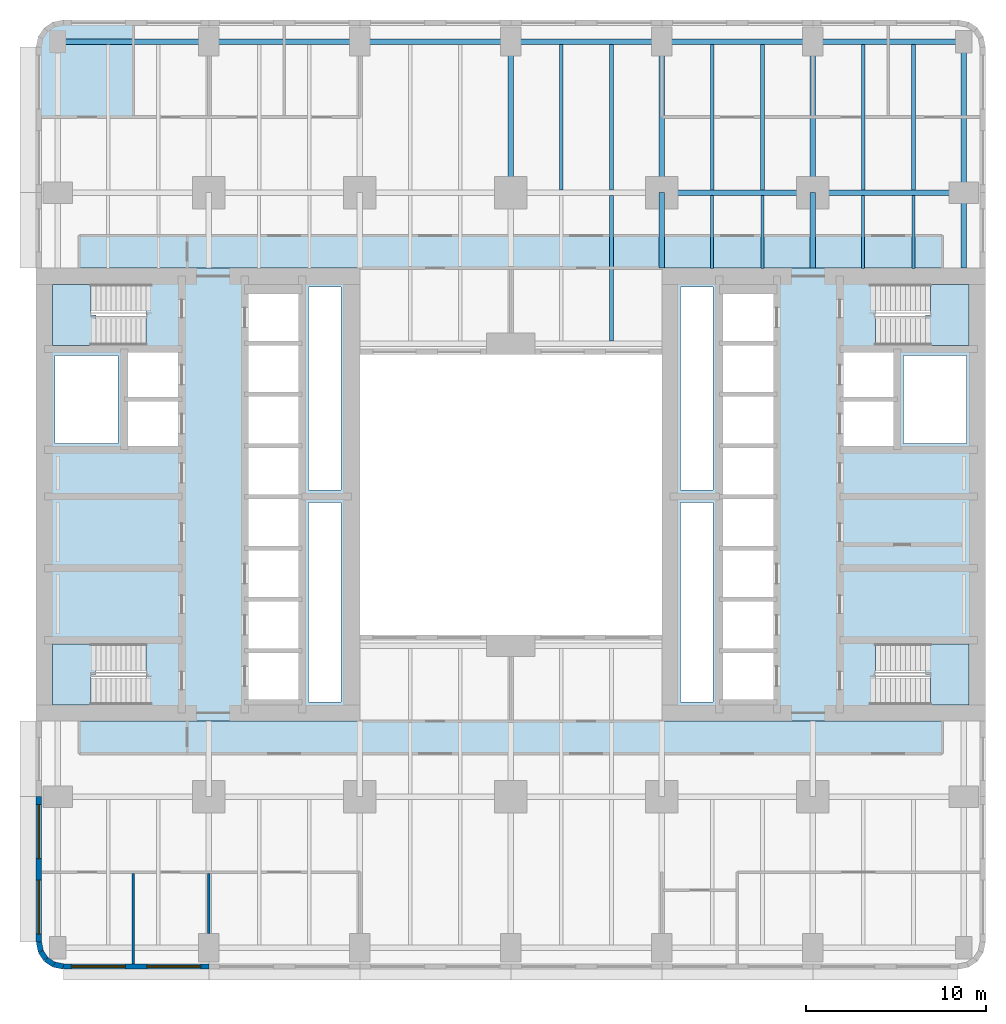
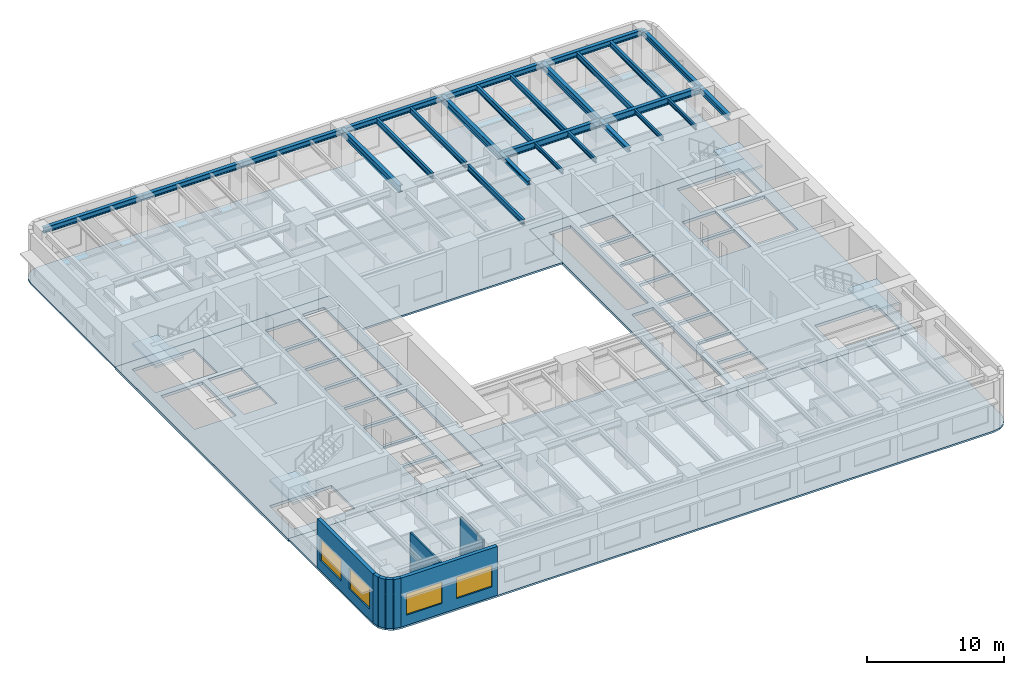
# One storey, part 2 of 14: 26 beams, 8 slabs, 8 walls, 4 windows, 4 openings, 4 elements without a shape of their own.
"""IFC4 building model written with IfcOpenShell, lengths in metres."""

from ifc_helpers import new_model, si_unit, direction, frame, frame_2d, origin, origin_2d, place, context, subcontext, project, spatial, polyline, rectangle, i_section, outline, extrude, material, layer, layer_set, material_profile, profile_set, type_object, element, fill, aggregate, save


model = new_model("IFC4")

# Units and contexts
model_context = context("Model", 3, precision=1e-05, world=origin(), true_north=direction((0.0, 1.0)))
body_context = subcontext(model_context, "Body", "Model", "MODEL_VIEW")
ifc_project = project(units=[si_unit("LENGTHUNIT", "METRE"), si_unit("AREAUNIT", "SQUARE_METRE"), si_unit("VOLUMEUNIT", "CUBIC_METRE"), si_unit("PLANEANGLEUNIT", "RADIAN"), si_unit("MASSUNIT", "GRAM", prefix="KILO")], contexts=[model_context])

# Site, building, storey
site_placement = place(None, origin())
site = spatial("IfcSite", under=ifc_project, at=site_placement, CompositionType="ELEMENT")
building_placement = place(site_placement, origin())
building = spatial("IfcBuilding", under=site, at=building_placement, Name="Claustro Exchange Tower", CompositionType="ELEMENT")
storey_placement = place(building_placement, frame((0.0, 0.0, 27.89990234375)))
storey = spatial("IfcBuildingStorey", under=building, at=storey_placement, Name="L06", CompositionType="ELEMENT", Elevation=27.89990234375)

# Beams
ifc_material_1 = material(Name="Steel S355", Category="steel")
ifc_material_profile_1 = material_profile(ifc_material_1, i_section(OverallWidth=0.300048828125, OverallDepth=0.60009765625, WebThickness=0.015380859375, FlangeThickness=0.030029296875, FilletRadius=0.027099609375, at=origin_2d()), Name="HE 600 B")
ifc_profile_set_1 = profile_set([ifc_material_profile_1], Name="Steel S355")
beam_type_1 = type_object("IfcBeamType", Name="B1 HE 600 B floor girder", PredefinedType="BEAM", material=ifc_profile_set_1)
for number, where, z_axis, x_axis, name in (
    (1, (25.199951171875, 42.0, 4.0400390625), (0.0, 1.0, 0.0), (-1.0, 0.0, 0.0), "Beam B1 L07"),
    (2, (33.60009765625, 42.0, 4.0400390625), (0.0, 1.0, 0.0), (-1.0, 0.0, 0.0), "Beam B1 L07"),
    (3, (42.0, 42.0, 4.0400390625), (0.0, 1.0, 0.0), (-1.0, 0.0, 0.0), "Beam B1 L07"),
    (4, (33.60009765625, 42.0, 4.0400390625), (1.0, 0.0, 0.0), (0.0, 1.0, 0.0), "Beam B1 L07"),
    (5, (42.0, 42.0, 4.0400390625), (1.0, 0.0, 0.0), (0.0, 1.0, 0.0), "Beam B1 L07"),
):
    element("IfcBeam", number, at=place(storey_placement, frame(where, z_axis=z_axis, x_axis=x_axis)), inside=storey, type_object=beam_type_1, Name=name, PredefinedType="BEAM", context=body_context, shape_type="SweptSolid", body=[
        extrude(i_section(OverallWidth=0.300048828125, OverallDepth=0.60009765625, WebThickness=0.015380859375, FlangeThickness=0.030029296875, FilletRadius=0.027099609375, at=origin_2d()), origin(), (0.0, 0.0, 1.0), 8.39990234375),
    ])
ifc_material_2 = material(Name="Steel S355", Category="steel")
ifc_material_profile_2 = material_profile(ifc_material_2, i_section(OverallWidth=0.169921875, OverallDepth=0.360107421875, WebThickness=0.008056640625, FlangeThickness=0.0126953125, FilletRadius=0.01806640625, at=origin_2d()), Name="IPE 360")
ifc_profile_set_2 = profile_set([ifc_material_profile_2], Name="Steel S355")
beam_type_2 = type_object("IfcBeamType", Name="B16 IPE 360 short-span beam", PredefinedType="BEAM", material=ifc_profile_set_2)
for number, where, z_axis, x_axis, name in (
    (6, (36.39990234375, 37.7900390625, 4.16015625), (0.0, 1.0, 0.0), (-1.0, 0.0, 0.0), "Beam B16 L07"),
    (7, (39.199951171875, 37.7900390625, 4.16015625), (0.0, 1.0, 0.0), (-1.0, 0.0, 0.0), "Beam B16 L07"),
    (8, (44.800048828125, 37.7900390625, 4.16015625), (0.0, 1.0, 0.0), (-1.0, 0.0, 0.0), "Beam B16 L07"),
    (9, (47.60009765625, 37.7900390625, 4.16015625), (0.0, 1.0, 0.0), (-1.0, 0.0, 0.0), "Beam B16 L07"),
):
    element("IfcBeam", number, at=place(storey_placement, frame(where, z_axis=z_axis, x_axis=x_axis)), inside=storey, type_object=beam_type_2, Name=name, PredefinedType="BEAM", context=body_context, shape_type="SweptSolid", body=[
        extrude(i_section(OverallWidth=0.169921875, OverallDepth=0.360107421875, WebThickness=0.008056640625, FlangeThickness=0.0126953125, FilletRadius=0.01806640625, at=origin_2d()), origin(), (0.0, 0.0, 1.0), 4.06005859375),
    ])
ifc_material_3 = material(Name="Steel S355", Category="steel")
ifc_material_profile_3 = material_profile(ifc_material_3, i_section(OverallWidth=0.199951171875, OverallDepth=0.5, WebThickness=0.01025390625, FlangeThickness=0.01611328125, FilletRadius=0.02099609375, at=origin_2d()), Name="IPE 500")
ifc_profile_set_3 = profile_set([ifc_material_profile_3], Name="Steel S355")
beam_type_3 = type_object("IfcBeamType", Name="B2 IPE 500 secondary beam", PredefinedType="BEAM", material=ifc_profile_set_3)
for number, where, z_axis, x_axis, name in (
    (10, (30.800048828125, 33.75, 4.090087890625), (0.0, 1.0, 0.0), (-1.0, 0.0, 0.0), "Beam B2 L07"),
    (11, (28.0, 42.14990234375, 4.090087890625), (0.0, 1.0, 0.0), (-1.0, 0.0, 0.0), "Beam B2 L07"),
    (12, (30.800048828125, 42.14990234375, 4.090087890625), (0.0, 1.0, 0.0), (-1.0, 0.0, 0.0), "Beam B2 L07"),
    (13, (36.39990234375, 42.14990234375, 4.090087890625), (0.0, 1.0, 0.0), (-1.0, 0.0, 0.0), "Beam B2 L07"),
    (14, (39.199951171875, 42.14990234375, 4.090087890625), (0.0, 1.0, 0.0), (-1.0, 0.0, 0.0), "Beam B2 L07"),
    (15, (44.800048828125, 42.14990234375, 4.090087890625), (0.0, 1.0, 0.0), (-1.0, 0.0, 0.0), "Beam B2 L07"),
    (16, (47.60009765625, 42.14990234375, 4.090087890625), (0.0, 1.0, 0.0), (-1.0, 0.0, 0.0), "Beam B2 L07"),
):
    element("IfcBeam", number, at=place(storey_placement, frame(where, z_axis=z_axis, x_axis=x_axis)), inside=storey, type_object=beam_type_3, Name=name, PredefinedType="BEAM", context=body_context, shape_type="SweptSolid", body=[
        extrude(i_section(OverallWidth=0.199951171875, OverallDepth=0.5, WebThickness=0.01025390625, FlangeThickness=0.01611328125, FilletRadius=0.02099609375, at=origin_2d()), origin(), (0.0, 0.0, 1.0), 8.10009765625),
    ])
ifc_material_4 = material(Name="Steel S355", Category="steel")
ifc_material_profile_4 = material_profile(ifc_material_4, i_section(OverallWidth=0.300048828125, OverallDepth=0.360107421875, WebThickness=0.012451171875, FlangeThickness=0.0224609375, FilletRadius=0.027099609375, at=origin_2d()), Name="HE 360 B")
ifc_profile_set_4 = profile_set([ifc_material_profile_4], Name="Steel S355")
beam_type_4 = type_object("IfcBeamType", Name="B29 HE 360 B column to core link beam", PredefinedType="BEAM", material=ifc_profile_set_4)
for number, where, z_axis, x_axis, name in (
    (17, (33.60009765625, 37.800048828125, 4.16015625), (0.0, 1.0, 0.0), (-1.0, 0.0, 0.0), "Beam B29 L07"),
    (18, (42.0, 37.800048828125, 4.16015625), (0.0, 1.0, 0.0), (-1.0, 0.0, 0.0), "Beam B29 L07"),
):
    element("IfcBeam", number, at=place(storey_placement, frame(where, z_axis=z_axis, x_axis=x_axis)), inside=storey, type_object=beam_type_4, Name=name, PredefinedType="BEAM", context=body_context, shape_type="SweptSolid", body=[
        extrude(i_section(OverallWidth=0.300048828125, OverallDepth=0.360107421875, WebThickness=0.012451171875, FlangeThickness=0.0224609375, FilletRadius=0.027099609375, at=origin_2d()), origin(), (0.0, 0.0, 1.0), 4.199951171875),
    ])
ifc_material_5 = material(Name="Steel S355", Category="steel")
ifc_material_profile_5 = material_profile(ifc_material_5, i_section(OverallWidth=0.300048828125, OverallDepth=0.5, WebThickness=0.014404296875, FlangeThickness=0.028076171875, FilletRadius=0.027099609375, at=origin_2d()), Name="HE 500 B")
ifc_profile_set_5 = profile_set([ifc_material_profile_5], Name="Steel S355")
beam_type_5 = type_object("IfcBeamType", Name="B3 HE 500 B spandrel edge girder", PredefinedType="SPANDREL", material=ifc_profile_set_5)
beam_1_placement = place(storey_placement, frame((50.39990234375, 37.800048828125, 4.090087890625), z_axis=(0.0, 1.0, 0.0), x_axis=(-1.0, 0.0, 0.0)))
element("IfcBeam", 19, at=beam_1_placement, inside=storey, type_object=beam_type_5, Name="Beam B3 L07", PredefinedType="SPANDREL", context=body_context, shape_type="SweptSolid", body=[
    extrude(i_section(OverallWidth=0.300048828125, OverallDepth=0.5, WebThickness=0.014404296875, FlangeThickness=0.028076171875, FilletRadius=0.027099609375, at=origin_2d()), origin(), (0.0, 0.0, 1.0), 4.199951171875),
])
for number, where, z_axis, x_axis, name in (
    (20, (50.39990234375, 42.0, 4.090087890625), (0.0, 1.0, 0.0), (-1.0, 0.0, 0.0), "Beam B3 L07"),
    (21, (0.0, 50.39990234375, 4.090087890625), (1.0, 0.0, 0.0), (0.0, 1.0, 0.0), "Beam B3 L07"),
):
    element("IfcBeam", number, at=place(storey_placement, frame(where, z_axis=z_axis, x_axis=x_axis)), inside=storey, type_object=beam_type_5, Name=name, PredefinedType="SPANDREL", context=body_context, shape_type="SweptSolid", body=[
        extrude(i_section(OverallWidth=0.300048828125, OverallDepth=0.5, WebThickness=0.014404296875, FlangeThickness=0.028076171875, FilletRadius=0.027099609375, at=origin_2d()), origin(), (0.0, 0.0, 1.0), 8.39990234375),
    ])
beam_2_placement = place(storey_placement, frame((8.39990234375, 50.39990234375, 4.090087890625), z_axis=(1.0, 0.0, 0.0), x_axis=(0.0, 1.0, 0.0)))
element("IfcBeam", 22, at=beam_2_placement, inside=storey, type_object=beam_type_5, Name="Beam B3 L07", PredefinedType="SPANDREL", context=body_context, shape_type="SweptSolid", body=[
    extrude(i_section(OverallWidth=0.300048828125, OverallDepth=0.5, WebThickness=0.014404296875, FlangeThickness=0.028076171875, FilletRadius=0.027099609375, at=origin_2d()), origin(), (0.0, 0.0, 1.0), 8.400146484375),
])
beam_3_placement = place(storey_placement, frame((16.800048828125, 50.39990234375, 4.090087890625), z_axis=(1.0, 0.0, 0.0), x_axis=(0.0, 1.0, 0.0)))
element("IfcBeam", 23, at=beam_3_placement, inside=storey, type_object=beam_type_5, Name="Beam B3 L07", PredefinedType="SPANDREL", context=body_context, shape_type="SweptSolid", body=[
    extrude(i_section(OverallWidth=0.300048828125, OverallDepth=0.5, WebThickness=0.014404296875, FlangeThickness=0.028076171875, FilletRadius=0.027099609375, at=origin_2d()), origin(), (0.0, 0.0, 1.0), 8.39990234375),
])
beam_4_placement = place(storey_placement, frame((25.199951171875, 50.39990234375, 4.090087890625), z_axis=(1.0, 0.0, 0.0), x_axis=(0.0, 1.0, 0.0)))
element("IfcBeam", 24, at=beam_4_placement, inside=storey, type_object=beam_type_5, Name="Beam B3 L07", PredefinedType="SPANDREL", context=body_context, shape_type="SweptSolid", body=[
    extrude(i_section(OverallWidth=0.300048828125, OverallDepth=0.5, WebThickness=0.014404296875, FlangeThickness=0.028076171875, FilletRadius=0.027099609375, at=origin_2d()), origin(), (0.0, 0.0, 1.0), 8.400146484375),
])
for number, where, z_axis, x_axis, name in (
    (25, (33.60009765625, 50.39990234375, 4.090087890625), (1.0, 0.0, 0.0), (0.0, 1.0, 0.0), "Beam B3 L07"),
    (26, (42.0, 50.39990234375, 4.090087890625), (1.0, 0.0, 0.0), (0.0, 1.0, 0.0), "Beam B3 L07"),
):
    element("IfcBeam", number, at=place(storey_placement, frame(where, z_axis=z_axis, x_axis=x_axis)), inside=storey, type_object=beam_type_5, Name=name, PredefinedType="SPANDREL", context=body_context, shape_type="SweptSolid", body=[
        extrude(i_section(OverallWidth=0.300048828125, OverallDepth=0.5, WebThickness=0.014404296875, FlangeThickness=0.028076171875, FilletRadius=0.027099609375, at=origin_2d()), origin(), (0.0, 0.0, 1.0), 8.39990234375),
    ])

# Slabs
ifc_material_6 = material(Name="Concrete HA-50 (C50/60)", Category="concrete")
ifc_layer_1 = layer(ifc_material_6, 0.159912109375)
ifc_layer_set_1 = layer_set([ifc_layer_1], Name="Concrete HA-50 (C50/60)")
slab_type_1 = type_object("IfcSlabType", Name="S1 160 composite floor slab", PredefinedType="FLOOR", material=ifc_layer_set_1)
slab_1_placement = place(storey_placement, frame((0.0, 0.0, -0.159912109375)))
element("IfcSlab", 27, at=slab_1_placement, inside=storey, type_object=slab_type_1, Name="Floor slab S1 S L06", PredefinedType="FLOOR", context=body_context, shape_type="SweptSolid", body=[
    extrude(outline(polyline([(-0.27392578125, -1.085693359375), (0.300048828125, -1.199951171875), (50.10009765625, -1.199951171875), (50.674072265625, -1.085693359375), (51.16064453125, -0.7607421875), (51.48583984375, -0.27392578125), (51.60009765625, 0.300048828125), (51.60009765625, 12.60009765625), (33.60009765625, 12.60009765625), (33.60009765625, 17.39990234375), (16.800048828125, 17.39990234375), (16.800048828125, 12.60009765625), (-1.199951171875, 12.60009765625), (-1.199951171875, 0.300048828125), (-1.085693359375, -0.27392578125), (-0.7607421875, -0.7607421875), (-0.27392578125, -1.085693359375)])), origin(), (0.0, 0.0, 1.0), 0.159912109375),
])
slab_2_placement = place(storey_placement, frame((0.0, 0.0, -0.159912109375)))
element("IfcSlab", 28, at=slab_2_placement, inside=storey, type_object=slab_type_1, Name="Floor slab S1 N L06", PredefinedType="FLOOR", context=body_context, shape_type="SweptSolid", body=[
    extrude(outline(polyline([(16.800048828125, 37.800048828125), (16.800048828125, 33.0), (33.60009765625, 33.0), (33.60009765625, 37.800048828125), (51.60009765625, 37.800048828125), (51.60009765625, 50.10009765625), (51.48583984375, 50.674072265625), (51.16064453125, 51.16064453125), (50.674072265625, 51.48583984375), (50.10009765625, 51.60009765625), (0.300048828125, 51.60009765625), (-0.27392578125, 51.48583984375), (-0.7607421875, 51.16064453125), (-1.085693359375, 50.674072265625), (-1.199951171875, 50.10009765625), (-1.199951171875, 37.800048828125), (16.800048828125, 37.800048828125)])), origin(), (0.0, 0.0, 1.0), 0.159912109375),
])
ifc_material_7 = material(Name="Concrete HA-50 (C50/60)", Category="concrete")
ifc_layer_2 = layer(ifc_material_7, 0.25)
ifc_layer_set_2 = layer_set([ifc_layer_2], Name="Concrete HA-50 (C50/60)")
slab_type_2 = type_object("IfcSlabType", Name="S7 250 core floor slab", PredefinedType="FLOOR", material=ifc_layer_set_2)
slab_3_placement = place(storey_placement, frame((0.0, 0.0, -0.25)))
element("IfcSlab", 29, at=slab_3_placement, inside=storey, type_object=slab_type_2, Name="Core floor slab S7 W core L06", PredefinedType="FLOOR", context=body_context, shape_type="SweptSolid", body=[
    extrude(outline(polyline([(-1.199951171875, 12.60009765625), (16.800048828125, 12.60009765625), (16.800048828125, 37.800048828125), (-1.199951171875, 37.800048828125), (-1.199951171875, 12.60009765625)]), holes=[polyline([(15.75, 24.75), (15.75, 13.64990234375), (13.949951171875, 13.64990234375), (13.949951171875, 24.75), (15.75, 24.75)]), polyline([(15.75, 36.75), (15.75, 25.449951171875), (13.949951171875, 25.449951171875), (13.949951171875, 36.75), (15.75, 36.75)]), polyline([(10.60009765625, 16.39990234375), (13.39990234375, 16.39990234375), (13.39990234375, 13.800048828125), (10.60009765625, 13.800048828125), (10.60009765625, 16.39990234375)]), polyline([(13.39990234375, 19.25), (13.39990234375, 16.64990234375), (10.60009765625, 16.64990234375), (10.60009765625, 19.25), (13.39990234375, 19.25)]), polyline([(13.39990234375, 22.10009765625), (13.39990234375, 19.5), (10.60009765625, 19.5), (10.60009765625, 22.10009765625), (13.39990234375, 22.10009765625)]), polyline([(13.39990234375, 24.949951171875), (13.39990234375, 22.35009765625), (10.60009765625, 22.35009765625), (10.60009765625, 24.949951171875), (13.39990234375, 24.949951171875)]), polyline([(13.39990234375, 27.800048828125), (13.39990234375, 25.199951171875), (10.60009765625, 25.199951171875), (10.60009765625, 27.800048828125), (13.39990234375, 27.800048828125)]), polyline([(13.39990234375, 30.64990234375), (13.39990234375, 28.050048828125), (10.60009765625, 28.050048828125), (10.60009765625, 30.64990234375), (13.39990234375, 30.64990234375)]), polyline([(13.39990234375, 33.5), (13.39990234375, 30.89990234375), (10.60009765625, 30.89990234375), (10.60009765625, 33.5), (13.39990234375, 33.5)]), polyline([(13.39990234375, 36.35009765625), (13.39990234375, 33.75), (10.60009765625, 33.75), (10.60009765625, 36.35009765625), (13.39990234375, 36.35009765625)]), polyline([(6.699951171875, 30.375), (6.699951171875, 27.89990234375), (3.89990234375, 27.89990234375), (3.89990234375, 30.375), (6.699951171875, 30.375)]), polyline([(6.699951171875, 33.10009765625), (6.699951171875, 30.625), (3.89990234375, 30.625), (3.89990234375, 33.10009765625), (6.699951171875, 33.10009765625)]), polyline([(-0.300048828125, 15.199951171875), (-0.300048828125, 16.89990234375), (4.9150390625, 16.89990234375), (4.9150390625, 15.199951171875), (4.919921875, 15.199951171875), (4.919921875, 13.5), (-0.300048828125, 13.5), (-0.300048828125, 15.199951171875)]), polyline([(-0.300048828125, 36.89990234375), (4.919921875, 36.89990234375), (4.919921875, 35.199951171875), (4.9150390625, 35.199951171875), (4.9150390625, 33.5), (-0.300048828125, 33.5), (-0.300048828125, 35.199951171875), (-0.300048828125, 36.89990234375)]), polyline([(3.35009765625, 32.949951171875), (3.35009765625, 28.050048828125), (-0.14990234375, 28.050048828125), (-0.14990234375, 32.949951171875), (3.35009765625, 32.949951171875)])]), origin(), (0.0, 0.0, 1.0), 0.25),
])
slab_4_placement = place(storey_placement, frame((0.0, 0.0, -0.25)))
element("IfcSlab", 30, at=slab_4_placement, inside=storey, type_object=slab_type_2, Name="Core floor slab S7 E core L06", PredefinedType="FLOOR", context=body_context, shape_type="SweptSolid", body=[
    extrude(outline(polyline([(33.60009765625, 12.60009765625), (51.60009765625, 12.60009765625), (51.60009765625, 37.800048828125), (33.60009765625, 37.800048828125), (33.60009765625, 12.60009765625)]), holes=[polyline([(45.47998046875, 35.199951171875), (45.47998046875, 36.89990234375), (50.699951171875, 36.89990234375), (50.699951171875, 35.199951171875), (50.699951171875, 33.5), (45.485107421875, 33.5), (45.485107421875, 35.199951171875), (45.47998046875, 35.199951171875)]), polyline([(45.485107421875, 15.199951171875), (45.485107421875, 16.89990234375), (50.699951171875, 16.89990234375), (50.699951171875, 15.199951171875), (50.699951171875, 13.5), (45.47998046875, 13.5), (45.47998046875, 15.199951171875), (45.485107421875, 15.199951171875)]), polyline([(50.550048828125, 32.949951171875), (50.550048828125, 28.050048828125), (47.050048828125, 28.050048828125), (47.050048828125, 32.949951171875), (50.550048828125, 32.949951171875)]), polyline([(46.5, 30.375), (46.5, 27.89990234375), (43.699951171875, 27.89990234375), (43.699951171875, 30.375), (46.5, 30.375)]), polyline([(46.5, 33.10009765625), (46.5, 30.625), (43.699951171875, 30.625), (43.699951171875, 33.10009765625), (46.5, 33.10009765625)]), polyline([(37.0, 16.39990234375), (39.800048828125, 16.39990234375), (39.800048828125, 13.800048828125), (37.0, 13.800048828125), (37.0, 16.39990234375)]), polyline([(39.800048828125, 19.25), (39.800048828125, 16.64990234375), (37.0, 16.64990234375), (37.0, 19.25), (39.800048828125, 19.25)]), polyline([(39.800048828125, 22.10009765625), (39.800048828125, 19.5), (37.0, 19.5), (37.0, 22.10009765625), (39.800048828125, 22.10009765625)]), polyline([(39.800048828125, 24.949951171875), (39.800048828125, 22.35009765625), (37.0, 22.35009765625), (37.0, 24.949951171875), (39.800048828125, 24.949951171875)]), polyline([(39.800048828125, 27.800048828125), (39.800048828125, 25.199951171875), (37.0, 25.199951171875), (37.0, 27.800048828125), (39.800048828125, 27.800048828125)]), polyline([(39.800048828125, 30.64990234375), (39.800048828125, 28.050048828125), (37.0, 28.050048828125), (37.0, 30.64990234375), (39.800048828125, 30.64990234375)]), polyline([(39.800048828125, 33.5), (39.800048828125, 30.89990234375), (37.0, 30.89990234375), (37.0, 33.5), (39.800048828125, 33.5)]), polyline([(39.800048828125, 36.35009765625), (39.800048828125, 33.75), (37.0, 33.75), (37.0, 36.35009765625), (39.800048828125, 36.35009765625)]), polyline([(36.449951171875, 24.75), (36.449951171875, 13.64990234375), (34.64990234375, 13.64990234375), (34.64990234375, 24.75), (36.449951171875, 24.75)]), polyline([(36.449951171875, 36.75), (36.449951171875, 25.449951171875), (34.64990234375, 25.449951171875), (34.64990234375, 36.75), (36.449951171875, 36.75)])]), origin(), (0.0, 0.0, 1.0), 0.25),
])

# Stair, slab
ifc_material_8 = material(Name="Concrete HA-30 (C30/37), precast", Category="concrete")
stair_type = type_object("IfcStairType", Name="ST2 half-turn stair, 25 risers of 180", PredefinedType="HALF_TURN_STAIR", material=ifc_material_8)
stair_1_placement = place(storey_placement, origin())
stair_1 = element("IfcStair", 31, at=stair_1_placement, inside=storey, type_object=stair_type, Name="Stair STWA L06", PredefinedType="HALF_TURN_STAIR")
ifc_material_9 = material(Name="Concrete HA-30 (C30/37), precast", Category="concrete")
ifc_layer_3 = layer(ifc_material_9, 0.199951171875)
ifc_layer_set_3 = layer_set([ifc_layer_3], Name="Concrete HA-30 (C30/37), precast")
slab_type_3 = type_object("IfcSlabType", Name="S9 200 stair landing", PredefinedType="LANDING", material=ifc_layer_set_3)
slab_5_placement = place(storey_placement, frame((0.0, 0.0, 2.14013671875)))
slab_5 = element("IfcSlab", 32, at=slab_5_placement, type_object=slab_type_3, Name="STWA landing 1", PredefinedType="LANDING", context=body_context, shape_type="SweptSolid", body=[
    extrude(outline(polyline([(1.844970703125, 13.5), (-0.300048828125, 13.5), (-0.300048828125, 16.89990234375), (1.840087890625, 16.89990234375), (1.844970703125, 16.89990234375), (2.1201171875, 16.89990234375), (2.1201171875, 15.199951171875), (1.844970703125, 15.199951171875), (1.844970703125, 13.5)])), origin(), (0.0, 0.0, 1.0), 0.199951171875),
])
aggregate(stair_1, [slab_5])

stair_2_placement = place(storey_placement, origin())
stair_2 = element("IfcStair", 33, at=stair_2_placement, inside=storey, type_object=stair_type, Name="Stair STWB L06", PredefinedType="HALF_TURN_STAIR")
slab_6_placement = place(storey_placement, frame((0.0, 0.0, 2.14013671875)))
slab_6 = element("IfcSlab", 34, at=slab_6_placement, type_object=slab_type_3, Name="STWB landing 1", PredefinedType="LANDING", context=body_context, shape_type="SweptSolid", body=[
    extrude(outline(polyline([(2.1201171875, 35.199951171875), (2.1201171875, 33.5), (1.844970703125, 33.5), (1.840087890625, 33.5), (-0.300048828125, 33.5), (-0.300048828125, 36.89990234375), (1.844970703125, 36.89990234375), (1.844970703125, 35.199951171875), (2.1201171875, 35.199951171875)])), origin(), (0.0, 0.0, 1.0), 0.199951171875),
])
aggregate(stair_2, [slab_6])

stair_3_placement = place(storey_placement, origin())
stair_3 = element("IfcStair", 35, at=stair_3_placement, inside=storey, type_object=stair_type, Name="Stair STEA L06", PredefinedType="HALF_TURN_STAIR")
slab_7_placement = place(storey_placement, frame((0.0, 0.0, 2.14013671875)))
slab_7 = element("IfcSlab", 36, at=slab_7_placement, type_object=slab_type_3, Name="STEA landing 1", PredefinedType="LANDING", context=body_context, shape_type="SweptSolid", body=[
    extrude(outline(polyline([(50.699951171875, 16.89990234375), (50.699951171875, 13.5), (48.554931640625, 13.5), (48.554931640625, 15.199951171875), (48.280029296875, 15.199951171875), (48.280029296875, 16.89990234375), (48.554931640625, 16.89990234375), (48.56005859375, 16.89990234375), (50.699951171875, 16.89990234375)])), origin(), (0.0, 0.0, 1.0), 0.199951171875),
])
aggregate(stair_3, [slab_7])

stair_4_placement = place(storey_placement, origin())
stair_4 = element("IfcStair", 37, at=stair_4_placement, inside=storey, type_object=stair_type, Name="Stair STEB L06", PredefinedType="HALF_TURN_STAIR")
slab_8_placement = place(storey_placement, frame((0.0, 0.0, 2.14013671875)))
slab_8 = element("IfcSlab", 38, at=slab_8_placement, type_object=slab_type_3, Name="STEB landing 1", PredefinedType="LANDING", context=body_context, shape_type="SweptSolid", body=[
    extrude(outline(polyline([(48.280029296875, 33.5), (48.280029296875, 35.199951171875), (48.554931640625, 35.199951171875), (48.554931640625, 36.89990234375), (50.699951171875, 36.89990234375), (50.699951171875, 33.5), (48.56005859375, 33.5), (48.554931640625, 33.5), (48.280029296875, 33.5)])), origin(), (0.0, 0.0, 1.0), 0.199951171875),
])
aggregate(stair_4, [slab_8])

# Walls
ifc_material_10 = material(Name="Gypsum board on steel studs", Category="steel")
ifc_layer_4 = layer(ifc_material_10, 0.14990234375)
ifc_layer_set_4 = layer_set([ifc_layer_4], Name="Gypsum board on steel studs")
wall_type_1 = type_object("IfcWallType", Name="P1 150 plasterboard partition", PredefinedType="PARTITIONING", material=ifc_layer_set_4)
wall_1_placement = place(storey_placement, frame((4.199951171875, -0.902099609375, 0.0), z_axis=(0.0, 0.0, 1.0), x_axis=(0.0, 1.0, 0.0)))
element("IfcWall", 39, at=wall_1_placement, inside=storey, type_object=wall_type_1, Name="Partition P1 L06", PredefinedType="PARTITIONING", context=body_context, shape_type="SweptSolid", body=[
    extrude(rectangle(XDim=5.028076171875, YDim=0.14990234375, at=frame_2d((2.51416015625, 0.0))), origin(), (0.0, 0.0, 1.0), 3.840087890625),
])
wall_2_placement = place(storey_placement, frame((8.39990234375, 0.799072265625, 0.0), z_axis=(0.0, 0.0, 1.0), x_axis=(0.0, 1.0, 0.0)))
element("IfcWall", 40, at=wall_2_placement, inside=storey, type_object=wall_type_1, Name="Partition P1 L06", PredefinedType="PARTITIONING", context=body_context, shape_type="SweptSolid", body=[
    extrude(rectangle(XDim=3.326904296875, YDim=0.14990234375, at=frame_2d((1.66357421875, 0.0))), origin(), (0.0, 0.0, 1.0), 3.739990234375),
])

# Wall, openings, windows
ifc_material_11 = material(Name="Concrete HA-40 (C40/50), precast, white cement, acid-etched", Category="concrete")
ifc_layer_5 = layer(ifc_material_11, 0.300048828125)
ifc_layer_set_5 = layer_set([ifc_layer_5], Name="Concrete HA-40 (C40/50), precast, white cement, acid-etched")
wall_type_2 = type_object("IfcWallType", Name="PC1 300 precast concrete pier panel", PredefinedType="SOLIDWALL", material=ifc_layer_set_5)
wall_3_placement = place(storey_placement, frame((8.39990234375, -1.050048828125, 0.0), z_axis=(0.0, 0.0, 1.0), x_axis=(-1.0, 0.0, 0.0)))
wall_3 = element("IfcWall", 41, at=wall_3_placement, inside=storey, type_object=wall_type_2, Name="Precast pier panel PC1 L06", PredefinedType="SOLIDWALL", context=body_context, shape_type="SweptSolid", body=[
    extrude(rectangle(XDim=8.085205078125, YDim=0.300048828125, at=frame_2d((4.04248046875, 0.0))), origin(), (0.0, 0.0, 1.0), 4.340087890625),
])
opening_1_placement = place(wall_3_placement, frame((0.442626953125, 0.0, 0.89990234375)))
opening_1 = element("IfcOpeningElement", 42, at=opening_1_placement, cuts=wall_3, Name="Opening W1", PredefinedType="OPENING", context=body_context, shape_type="SweptSolid", body=[
    extrude(rectangle(XDim=3.0, YDim=1.89990234375, at=frame_2d((1.5, 0.949951171875))), frame((0.0, 0.159912109375, 0.0), z_axis=(0.0, -1.0, 0.0), x_axis=(1.0, 0.0, 0.0)), (0.0, 0.0, 1.0), 0.320068359375),
])
opening_2_placement = place(wall_3_placement, frame((4.642578125, 0.0, 0.89990234375)))
opening_2 = element("IfcOpeningElement", 43, at=opening_2_placement, cuts=wall_3, Name="Opening W1", PredefinedType="OPENING", context=body_context, shape_type="SweptSolid", body=[
    extrude(rectangle(XDim=3.0, YDim=1.89990234375, at=frame_2d((1.5, 0.949951171875))), frame((0.0, 0.159912109375, 0.0), z_axis=(0.0, -1.0, 0.0), x_axis=(1.0, 0.0, 0.0)), (0.0, 0.0, 1.0), 0.320068359375),
])
ifc_material_12 = material(Name="Aluminium frame, clear double glazing", Category="aluminium")
window_type = type_object("IfcWindowType", Name="W1 3000 x 1900 window", PartitioningType="SINGLE_PANEL", PredefinedType="WINDOW", material=ifc_material_12)
window_1_placement = place(opening_1_placement, origin())
window_1 = element("IfcWindow", 44, at=window_1_placement, inside=storey, type_object=window_type, Name="Window W1 L06", OverallHeight=1.89990234375, OverallWidth=3.0, PartitioningType="SINGLE_PANEL", PredefinedType="WINDOW", context=body_context, shape_type="SweptSolid", body=[
    extrude(rectangle(XDim=3.0, YDim=1.89990234375, at=frame_2d((1.5, 0.949951171875))), frame((0.0, 0.030029296875, 0.0), z_axis=(0.0, -1.0, 0.0), x_axis=(1.0, 0.0, 0.0)), (0.0, 0.0, 1.0), 0.06005859375),
])
fill(opening_1, window_1)
window_2_placement = place(opening_2_placement, origin())
window_2 = element("IfcWindow", 45, at=window_2_placement, inside=storey, type_object=window_type, Name="Window W1 L06", OverallHeight=1.89990234375, OverallWidth=3.0, PartitioningType="SINGLE_PANEL", PredefinedType="WINDOW", context=body_context, shape_type="SweptSolid", body=[
    extrude(rectangle(XDim=3.0, YDim=1.89990234375, at=frame_2d((1.5, 0.949951171875))), frame((0.0, 0.030029296875, 0.0), z_axis=(0.0, -1.0, 0.0), x_axis=(1.0, 0.0, 0.0)), (0.0, 0.0, 1.0), 0.06005859375),
])
fill(opening_2, window_2)

# Walls
wall_4_placement = place(storey_placement, frame((0.314697265625, -1.050048828125, 0.0), z_axis=(0.0, 0.0, 1.0), x_axis=(-0.980788534345, 0.195073962632, 0.0)))
element("IfcWall", 46, at=wall_4_placement, inside=storey, type_object=wall_type_2, Name="Precast pier panel PC1 L06", PredefinedType="SOLIDWALL", context=body_context, shape_type="SweptSolid", body=[
    extrude(rectangle(XDim=0.540771484375, YDim=0.300048828125, at=frame_2d((0.2705078125, 0.0))), origin(), (0.0, 0.0, 1.0), 4.340087890625),
])
for number, where, z_axis, x_axis, name in (
    (47, (-0.215576171875, -0.944580078125, 0.0), (0.0, 0.0, 1.0), (-0.831478144188, 0.555557463938, 0.0), "Precast pier panel PC1 L06"),
    (48, (-0.652587890625, -0.652587890625, 0.0), (0.0, 0.0, 1.0), (-0.555557463938, 0.831478144188, 0.0), "Precast pier panel PC1 L06"),
):
    element("IfcWall", number, at=place(storey_placement, frame(where, z_axis=z_axis, x_axis=x_axis)), inside=storey, type_object=wall_type_2, Name=name, PredefinedType="SOLIDWALL", context=body_context, shape_type="SweptSolid", body=[
        extrude(rectangle(XDim=0.525634765625, YDim=0.300048828125, at=frame_2d((0.2626953125, 0.0))), origin(), (0.0, 0.0, 1.0), 4.340087890625),
    ])
wall_5_placement = place(storey_placement, frame((-0.944580078125, -0.215576171875, 0.0), z_axis=(0.0, 0.0, 1.0), x_axis=(-0.195073962632, 0.980788534345, 0.0)))
element("IfcWall", 49, at=wall_5_placement, inside=storey, type_object=wall_type_2, Name="Precast pier panel PC1 L06", PredefinedType="SOLIDWALL", context=body_context, shape_type="SweptSolid", body=[
    extrude(rectangle(XDim=0.540771484375, YDim=0.300048828125, at=frame_2d((0.2705078125, 0.0))), origin(), (0.0, 0.0, 1.0), 4.340087890625),
])

# Wall, openings, windows
wall_6_placement = place(storey_placement, frame((-1.050048828125, 0.314697265625, 0.0), z_axis=(0.0, 0.0, 1.0), x_axis=(0.0, 1.0, 0.0)))
wall_6 = element("IfcWall", 50, at=wall_6_placement, inside=storey, type_object=wall_type_2, Name="Precast pier panel PC1 L06", PredefinedType="SOLIDWALL", context=body_context, shape_type="SweptSolid", body=[
    extrude(rectangle(XDim=8.085205078125, YDim=0.300048828125, at=frame_2d((4.04248046875, 0.0))), origin(), (0.0, 0.0, 1.0), 4.340087890625),
])
opening_3_placement = place(wall_6_placement, frame((0.442626953125, 0.0, 0.89990234375)))
opening_3 = element("IfcOpeningElement", 51, at=opening_3_placement, cuts=wall_6, Name="Opening W1", PredefinedType="OPENING", context=body_context, shape_type="SweptSolid", body=[
    extrude(rectangle(XDim=3.0, YDim=1.89990234375, at=frame_2d((1.5, 0.949951171875))), frame((0.0, 0.159912109375, 0.0), z_axis=(0.0, -1.0, 0.0), x_axis=(1.0, 0.0, 0.0)), (0.0, 0.0, 1.0), 0.320068359375),
])
opening_4_placement = place(wall_6_placement, frame((4.642578125, 0.0, 0.89990234375)))
opening_4 = element("IfcOpeningElement", 52, at=opening_4_placement, cuts=wall_6, Name="Opening W1", PredefinedType="OPENING", context=body_context, shape_type="SweptSolid", body=[
    extrude(rectangle(XDim=3.0, YDim=1.89990234375, at=frame_2d((1.5, 0.949951171875))), frame((0.0, 0.159912109375, 0.0), z_axis=(0.0, -1.0, 0.0), x_axis=(1.0, 0.0, 0.0)), (0.0, 0.0, 1.0), 0.320068359375),
])
window_3_placement = place(opening_3_placement, origin())
window_3 = element("IfcWindow", 53, at=window_3_placement, inside=storey, type_object=window_type, Name="Window W1 L06", OverallHeight=1.89990234375, OverallWidth=3.0, PartitioningType="SINGLE_PANEL", PredefinedType="WINDOW", context=body_context, shape_type="SweptSolid", body=[
    extrude(rectangle(XDim=3.0, YDim=1.89990234375, at=frame_2d((1.5, 0.949951171875))), frame((0.0, 0.030029296875, 0.0), z_axis=(0.0, -1.0, 0.0), x_axis=(1.0, 0.0, 0.0)), (0.0, 0.0, 1.0), 0.06005859375),
])
fill(opening_3, window_3)
window_4_placement = place(opening_4_placement, origin())
window_4 = element("IfcWindow", 54, at=window_4_placement, inside=storey, type_object=window_type, Name="Window W1 L06", OverallHeight=1.89990234375, OverallWidth=3.0, PartitioningType="SINGLE_PANEL", PredefinedType="WINDOW", context=body_context, shape_type="SweptSolid", body=[
    extrude(rectangle(XDim=3.0, YDim=1.89990234375, at=frame_2d((1.5, 0.949951171875))), frame((0.0, 0.030029296875, 0.0), z_axis=(0.0, -1.0, 0.0), x_axis=(1.0, 0.0, 0.0)), (0.0, 0.0, 1.0), 0.06005859375),
])
fill(opening_4, window_4)

save(model, "model.ifc")
